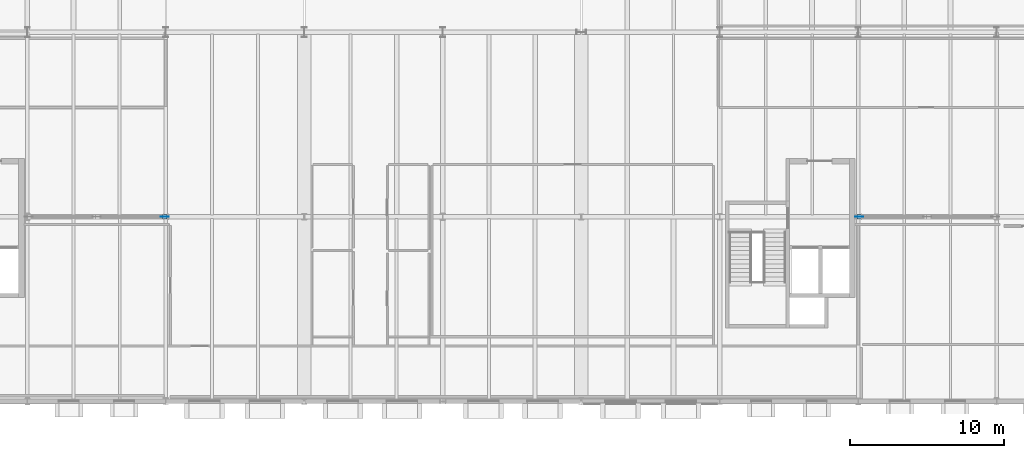
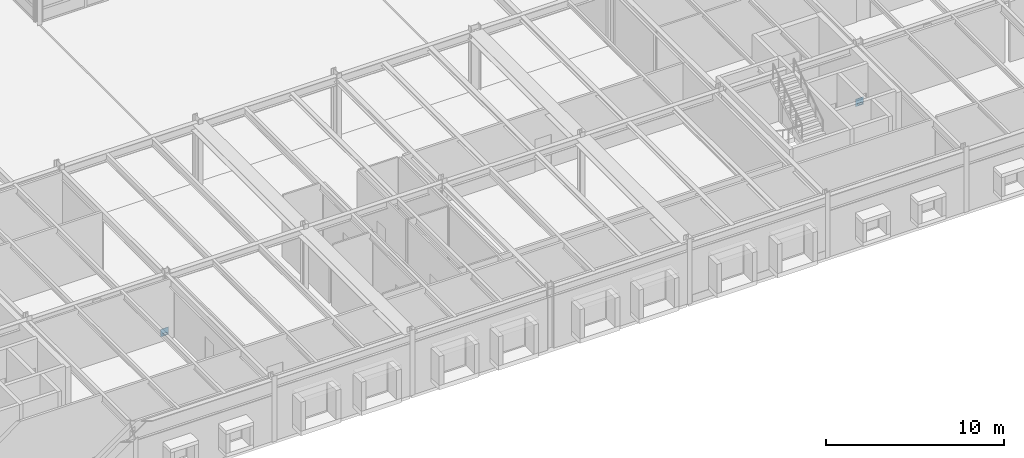
# One storey, part 98 of 115: 4 plates.
"""IFC4 building model written with IfcOpenShell, lengths in metres."""

from ifc_helpers import new_model, si_unit, direction, frame, origin, origin_2d, place, context, subcontext, project, spatial, rectangle, extrude, material, layer, layer_set, type_object, element, save


model = new_model("IFC4")

# Units and contexts
model_context = context("Model", 3, precision=1e-05, world=origin(), true_north=direction((0.0, 1.0)))
body_context = subcontext(model_context, "Body", "Model", "MODEL_VIEW")
ifc_project = project(units=[si_unit("LENGTHUNIT", "METRE"), si_unit("AREAUNIT", "SQUARE_METRE"), si_unit("VOLUMEUNIT", "CUBIC_METRE"), si_unit("PLANEANGLEUNIT", "RADIAN"), si_unit("MASSUNIT", "GRAM", prefix="KILO")], contexts=[model_context])

# Site, building, storey
site_placement = place(None, origin())
site = spatial("IfcSite", under=ifc_project, at=site_placement, CompositionType="ELEMENT")
building_placement = place(site_placement, origin())
building = spatial("IfcBuilding", under=site, at=building_placement, Name="Montelvaro Courts of Justice", CompositionType="ELEMENT")
storey_placement = place(building_placement, frame((0.0, 0.0, 9.89990234375)))
storey = spatial("IfcBuildingStorey", under=building, at=storey_placement, Name="L02", CompositionType="ELEMENT", Elevation=9.89990234375)

# Plates
ifc_material = material(Name="Steel S355", Category="steel")
ifc_layer_1 = layer(ifc_material, 0.011962890625)
ifc_layer_set_1 = layer_set([ifc_layer_1], Name="Steel S355")
plate_type_1 = type_object("IfcPlateType", Name="EndCapPlate_12", PredefinedType="USERDEFINED", material=ifc_layer_set_1)
for number, where, z_axis, x_axis, name in (
    (1, (71.919921875, 12.0, 0.07421875), (0.0, 0.0, 1.0), (1.0, 0.0, 0.0), "Brace End Cap Plate CP-01 CBF1-L02-2A"),
    (2, (117.080078125, 12.0, 0.07421875), (0.0, 0.0, 1.0), (1.0, 0.0, 0.0), "Brace End Cap Plate CP-01 CBF2-L02-1A"),
):
    element("IfcPlate", number, at=place(storey_placement, frame(where, z_axis=z_axis, x_axis=x_axis)), inside=storey, type_object=plate_type_1, Name=name, ObjectType="GUSSET PLATE", PredefinedType="USERDEFINED", context=body_context, shape_type="SweptSolid", body=[
        extrude(rectangle(XDim=0.300048828125, YDim=0.300048828125, at=origin_2d()), origin(), (0.0, 0.0, 1.0), 0.011962890625),
    ])
ifc_layer_2 = layer(ifc_material, 0.02001953125)
ifc_layer_set_2 = layer_set([ifc_layer_2], Name="Steel S355")
plate_type_2 = type_object("IfcPlateType", Name="GussetPlate_20", PredefinedType="USERDEFINED", material=ifc_layer_set_2)
for number, where, z_axis, x_axis, name in (
    (3, (71.919921875, 12.0, -0.099853515625), (0.0, 0.0, 1.0), (1.0, 0.0, 0.0), "Chevron Brace Base Gusset Plate GP-01 CBF1-L02-B2"),
    (4, (117.080078125, 12.0, -0.099853515625), (0.0, 0.0, 1.0), (1.0, 0.0, 0.0), "Chevron Brace Base Gusset Plate GP-01 CBF2-L02-B1"),
):
    element("IfcPlate", number, at=place(storey_placement, frame(where, z_axis=z_axis, x_axis=x_axis)), inside=storey, type_object=plate_type_2, Name=name, ObjectType="GUSSET PLATE", PredefinedType="USERDEFINED", context=body_context, shape_type="SweptSolid", body=[
        extrude(rectangle(XDim=0.52001953125, YDim=0.02001953125, at=origin_2d()), origin(), (0.0, 0.0, 1.0), 0.52001953125),
    ])

save(model, "model.ifc")
